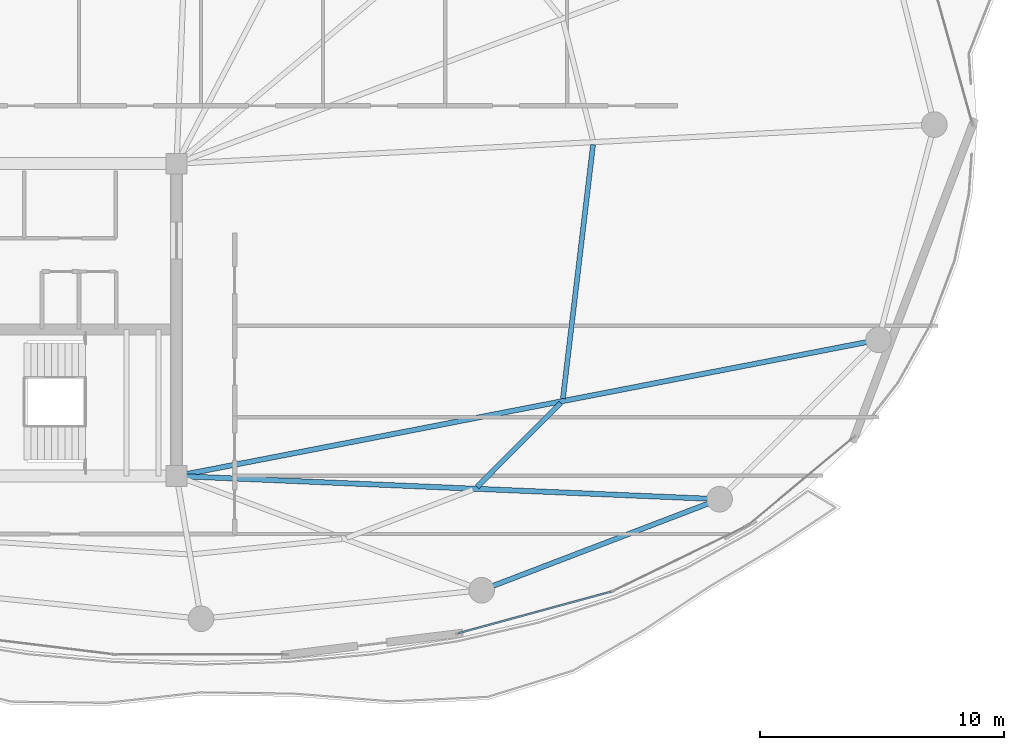
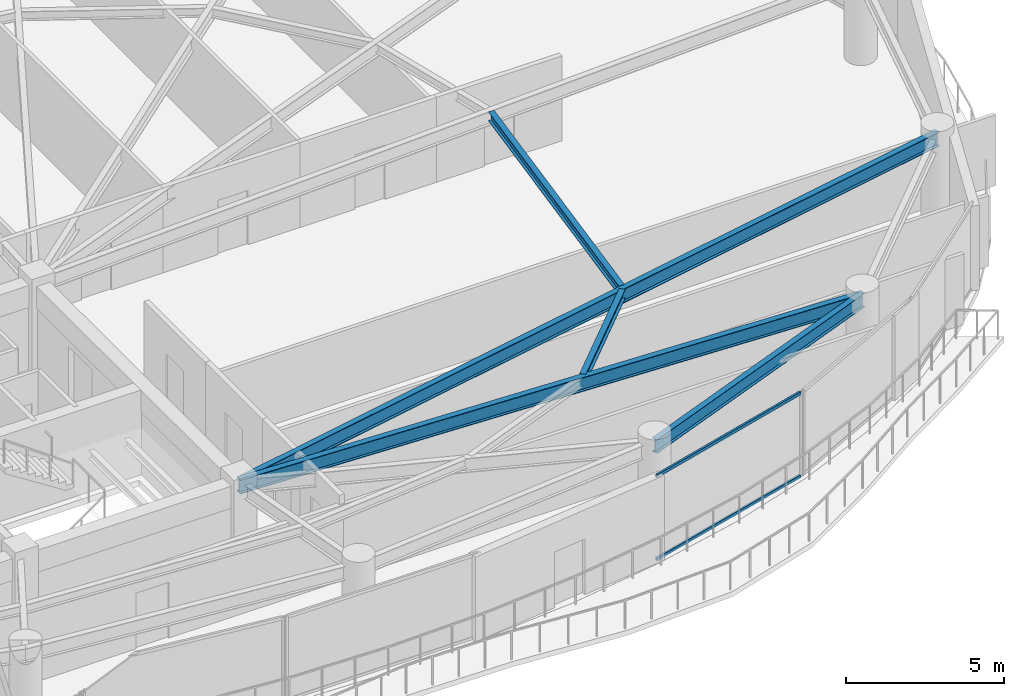
# One storey, part 11 of 29: 5 beams, 2 members, 1 element without a shape of its own.
"""IFC4 building model written with IfcOpenShell, lengths in metres."""

from ifc_helpers import new_model, si_unit, direction, frame, origin, origin_2d, place, context, subcontext, project, spatial, hollow_rectangle, i_section, extrude, material, layer, layer_set, material_profile, profile_set, type_object, element, aggregate, save


model = new_model("IFC4")

# Units and contexts
model_context = context("Model", 3, precision=1e-05, world=origin(), true_north=direction((0.0, 1.0)))
body_context = subcontext(model_context, "Body", "Model", "MODEL_VIEW")
ifc_project = project(units=[si_unit("LENGTHUNIT", "METRE"), si_unit("AREAUNIT", "SQUARE_METRE"), si_unit("VOLUMEUNIT", "CUBIC_METRE"), si_unit("PLANEANGLEUNIT", "RADIAN"), si_unit("MASSUNIT", "GRAM", prefix="KILO")], contexts=[model_context])

# Site, building, storey
site_placement = place(None, origin())
site = spatial("IfcSite", under=ifc_project, at=site_placement, CompositionType="ELEMENT")
building_placement = place(site_placement, origin())
building = spatial("IfcBuilding", under=site, at=building_placement, Name="Kazevale Care Tower and Concert Hall", CompositionType="ELEMENT")
storey_placement = place(building_placement, frame((0.0, 0.0, 249.60009765625)))
storey = spatial("IfcBuildingStorey", under=building, at=storey_placement, Name="L66", CompositionType="ELEMENT", Elevation=249.60009765625)

# Curtain wall, members
ifc_material_1 = material(Name="Aluminium 6063-T6 and Low-E Glass", Category="aluminium")
ifc_layer = layer(ifc_material_1, 0.179931640625)
ifc_layer_set = layer_set([ifc_layer], Name="Aluminium 6063-T6 and Low-E Glass")
curtain_wall_type = type_object("IfcCurtainWallType", Name="Sheltered Concave Balcony Curtain Wall CW-5", PredefinedType="NOTDEFINED", material=ifc_layer_set)
curtain_wall_placement = place(storey_placement, origin())
curtain_wall = element("IfcCurtainWall", 1, at=curtain_wall_placement, inside=storey, type_object=curtain_wall_type, Name="cw:L66:f04", PredefinedType="NOTDEFINED")
ifc_material_2 = material(Name="Aluminium 6063-T6", Category="aluminium")
ifc_material_profile_1 = material_profile(ifc_material_2, hollow_rectangle(XDim=0.074951171875, YDim=0.1201171875, WallThickness=0.00390625, at=origin_2d()), Name="ALU75x120x4")
ifc_profile_set_1 = profile_set([ifc_material_profile_1], Name="Aluminium 6063-T6")
member_type = type_object("IfcMemberType", Name="CW-5 Transom ALU75x120x4", PredefinedType="USERDEFINED", material=ifc_profile_set_1)
member_1_placement = place(storey_placement, frame((61.78369140625, 18.853271484375, 0.037353515625), z_axis=(-0.964843890632, -0.262823641842, 0.0), x_axis=(0.262823641842, -0.964843890632, 0.0)))
member_1 = element("IfcMember", 2, at=member_1_placement, type_object=member_type, Name="CW-5 transom 1.1", ObjectType="TRANSOM", PredefinedType="USERDEFINED", context=body_context, shape_type="SweptSolid", body=[
    extrude(hollow_rectangle(XDim=0.074951171875, YDim=0.1201171875, WallThickness=0.00390625, at=origin_2d()), origin(), (0.0, 0.0, 1.0), 6.469970703125),
])
member_2_placement = place(storey_placement, frame((61.78369140625, 18.853271484375, 3.242431640625), z_axis=(-0.964843890632, -0.262823641842, 0.0), x_axis=(0.262823641842, -0.964843890632, 0.0)))
member_2 = element("IfcMember", 3, at=member_2_placement, type_object=member_type, Name="CW-5 transom 1.2", ObjectType="TRANSOM", PredefinedType="USERDEFINED", context=body_context, shape_type="SweptSolid", body=[
    extrude(hollow_rectangle(XDim=0.074951171875, YDim=0.1201171875, WallThickness=0.00390625, at=origin_2d()), origin(), (0.0, 0.0, 1.0), 6.469970703125),
])
aggregate(curtain_wall, [member_1, member_2])

# Beams
ifc_material_3 = material(Name="Steel ASTM A572 Gr 50", Category="steel")
ifc_material_profile_2 = material_profile(ifc_material_3, i_section(OverallWidth=0.2119140625, OverallDepth=0.5439453125, WebThickness=0.01318359375, FlangeThickness=0.021240234375, at=origin_2d()), Name="W530x123")
ifc_profile_set_2 = profile_set([ifc_material_profile_2], Name="Steel ASTM A572 Gr 50")
beam_type_1 = type_object("IfcBeamType", Name="Radial Floor Girder W530x123", PredefinedType="BEAM", material=ifc_profile_set_2)
beam_1_placement = place(storey_placement, frame((44.0, 23.60009765625, 3.0078125), z_axis=(0.999089369477, -0.042666518456, 0.0), x_axis=(0.042666518456, 0.999089369477, 0.0)))
element("IfcBeam", 4, at=beam_1_placement, inside=storey, type_object=beam_type_1, Name="beam:L66:rad:15", PredefinedType="BEAM", context=body_context, shape_type="SweptSolid", body=[
    extrude(i_section(OverallWidth=0.2119140625, OverallDepth=0.5439453125, WebThickness=0.01318359375, FlangeThickness=0.021240234375, at=origin_2d()), origin(), (0.0, 0.0, 1.0), 22.270263671875),
])
beam_2_placement = place(storey_placement, frame((44.0, 23.60009765625, 3.0078125), z_axis=(0.981694544574, 0.190462125247, 0.0), x_axis=(-0.190462125247, 0.981694544574, 0.0)))
element("IfcBeam", 5, at=beam_2_placement, inside=storey, type_object=beam_type_1, Name="beam:L66:rad:16", PredefinedType="BEAM", context=body_context, shape_type="SweptSolid", body=[
    extrude(i_section(OverallWidth=0.2119140625, OverallDepth=0.5439453125, WebThickness=0.01318359375, FlangeThickness=0.021240234375, at=origin_2d()), origin(), (0.0, 0.0, 1.0), 29.29638671875),
])
ifc_material_profile_3 = material_profile(ifc_material_3, i_section(OverallWidth=0.205078125, OverallDepth=0.35400390625, WebThickness=0.009521484375, FlangeThickness=0.016845703125, at=origin_2d()), Name="W360x79")
ifc_profile_set_3 = profile_set([ifc_material_profile_3], Name="Steel ASTM A572 Gr 50")
beam_type_2 = type_object("IfcBeamType", Name="Secondary Floor Joist W360x79", PredefinedType="JOIST", material=ifc_profile_set_3)
beam_3_placement = place(storey_placement, frame((56.31201171875, 23.152099609375, 3.102783203125), z_axis=(0.705975874919, 0.708235881633, 0.0), x_axis=(-0.708235881633, 0.705975874919, 0.0)))
element("IfcBeam", 6, at=beam_3_placement, inside=storey, type_object=beam_type_2, Name="beam:L66:joist:15", PredefinedType="JOIST", context=body_context, shape_type="SweptSolid", body=[
    extrude(i_section(OverallWidth=0.205078125, OverallDepth=0.35400390625, WebThickness=0.009521484375, FlangeThickness=0.016845703125, at=origin_2d()), origin(), (0.0, 0.0, 1.0), 4.861083984375),
])
beam_4_placement = place(storey_placement, frame((59.830078125, 26.77294921875, 3.102783203125), z_axis=(0.117874218468, 0.993028533639, 0.0), x_axis=(-0.993028533639, 0.117874218468, 0.0)))
element("IfcBeam", 7, at=beam_4_placement, inside=storey, type_object=beam_type_2, Name="beam:L66:joist:16", PredefinedType="JOIST", context=body_context, shape_type="SweptSolid", body=[
    extrude(i_section(OverallWidth=0.205078125, OverallDepth=0.35400390625, WebThickness=0.009521484375, FlangeThickness=0.016845703125, at=origin_2d()), origin(), (0.0, 0.0, 1.0), 10.47607421875),
])
ifc_material_profile_4 = material_profile(ifc_material_3, i_section(OverallWidth=0.208984375, OverallDepth=0.532958984375, WebThickness=0.01025390625, FlangeThickness=0.015625, at=origin_2d()), Name="W530x92")
ifc_profile_set_4 = profile_set([ifc_material_profile_4], Name="Steel ASTM A572 Gr 50")
beam_type_3 = type_object("IfcBeamType", Name="Upper Ring Beam W530x92", PredefinedType="BEAM", material=ifc_profile_set_4)
beam_5_placement = place(storey_placement, frame((56.5, 18.919921875, 3.013427734375), z_axis=(0.933986653173, 0.357307894811, 0.0), x_axis=(-0.357307894811, 0.933986653173, 0.0)))
element("IfcBeam", 8, at=beam_5_placement, inside=storey, type_object=beam_type_3, Name="beam:L66:ring:14", PredefinedType="BEAM", context=body_context, shape_type="SweptSolid", body=[
    extrude(i_section(OverallWidth=0.208984375, OverallDepth=0.532958984375, WebThickness=0.01025390625, FlangeThickness=0.015625, at=origin_2d()), origin(), (0.0, 0.0, 1.0), 10.439208984375),
])

save(model, "model.ifc")
